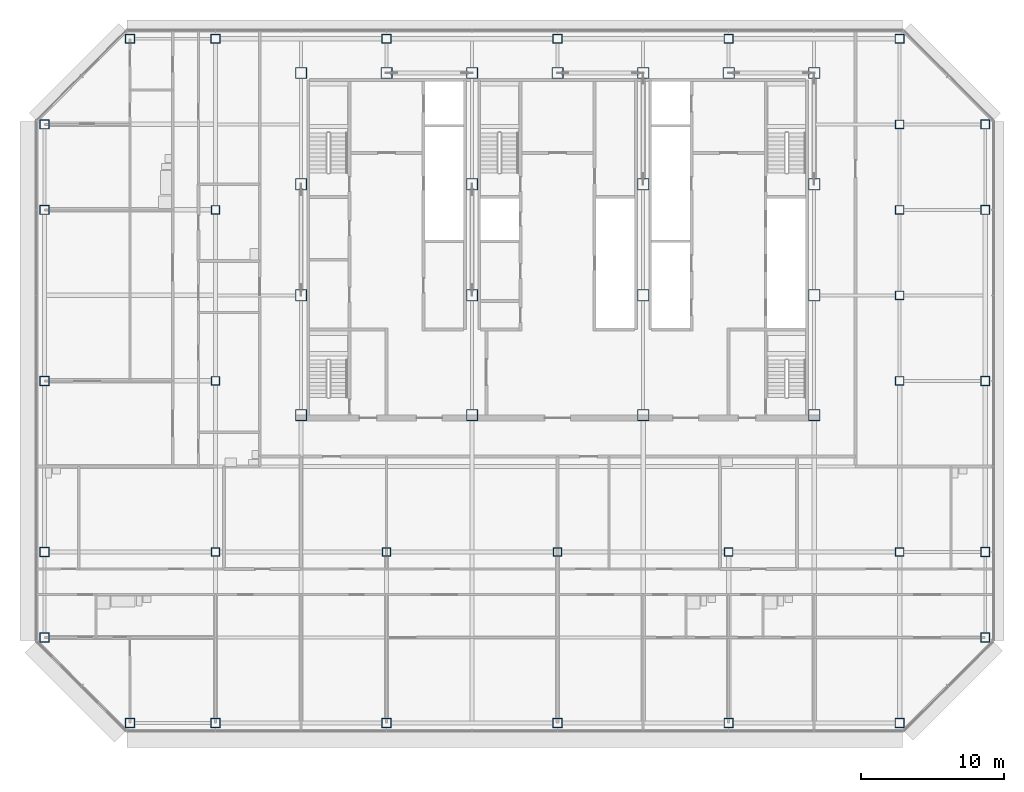
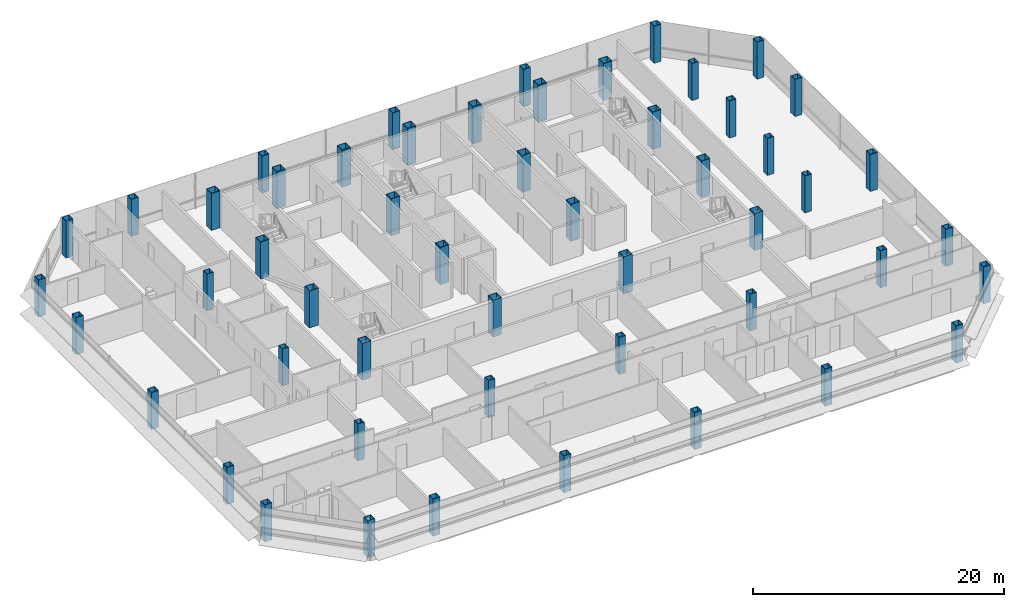
# One storey, part 1 of 26: 52 columns.
"""IFC4 building model written with IfcOpenShell, lengths in metres."""

from ifc_helpers import new_model, si_unit, direction, frame, origin, origin_2d, place, context, subcontext, project, spatial, hollow_rectangle, extrude, material, material_profile, profile_set, type_object, element, save


model = new_model("IFC4")

# Units and contexts
model_context = context("Model", 3, precision=1e-05, world=origin(), true_north=direction((0.0, 1.0)))
body_context = subcontext(model_context, "Body", "Model", "MODEL_VIEW")
ifc_project = project(units=[si_unit("LENGTHUNIT", "METRE"), si_unit("AREAUNIT", "SQUARE_METRE"), si_unit("VOLUMEUNIT", "CUBIC_METRE"), si_unit("PLANEANGLEUNIT", "RADIAN"), si_unit("MASSUNIT", "GRAM", prefix="KILO")], contexts=[model_context])

# Site, building, storey
site_placement = place(None, origin())
site = spatial("IfcSite", under=ifc_project, at=site_placement, CompositionType="ELEMENT")
building_placement = place(site_placement, origin())
building = spatial("IfcBuilding", under=site, at=building_placement, Name="Sorahane Residences", CompositionType="ELEMENT")
storey_placement = place(building_placement, frame((0.0, 0.0, 243.199951171875)))
storey = spatial("IfcBuildingStorey", under=building, at=storey_placement, Name="L57", CompositionType="ELEMENT", Elevation=243.199951171875)

# Columns
ifc_material_1 = material(Name="Steel Q355B", Category="steel")
ifc_material_profile_1 = material_profile(ifc_material_1, hollow_rectangle(XDim=0.60009765625, YDim=0.60009765625, WallThickness=0.028076171875, at=origin_2d()), Name="BOX 600x600x28")
ifc_profile_set_1 = profile_set([ifc_material_profile_1], Name="Steel Q355B")
column_type_1 = type_object("IfcColumnType", Name="Steel box column BOX 600x600x28 Q355B", PredefinedType="COLUMN", material=ifc_profile_set_1)
for number, where, z_axis, x_axis, name in (
    (1, (0.0, 12.0, 0.0), (0.0, 0.0, 1.0), (1.0, 0.0, 0.0), "Column L57 0/12"),
    (2, (0.0, 24.0, 0.0), (0.0, 0.0, 1.0), (1.0, 0.0, 0.0), "Column L57 0/24"),
    (3, (0.0, 36.0, 0.0), (0.0, 0.0, 1.0), (1.0, 0.0, 0.0), "Column L57 0/36"),
    (4, (12.0, 12.0, 0.0), (0.0, 0.0, 1.0), (1.0, 0.0, 0.0), "Column L57 12/12"),
    (5, (24.0, 12.0, 0.0), (0.0, 0.0, 1.0), (1.0, 0.0, 0.0), "Column L57 24/12"),
    (6, (36.0, 12.0, 0.0), (0.0, 0.0, 1.0), (1.0, 0.0, 0.0), "Column L57 36/12"),
    (7, (48.0, 12.0, 0.0), (0.0, 0.0, 1.0), (1.0, 0.0, 0.0), "Column L57 48/12"),
    (8, (48.0, 24.0, 0.0), (0.0, 0.0, 1.0), (1.0, 0.0, 0.0), "Column L57 48/24"),
    (9, (48.0, 30.0, 0.0), (0.0, 0.0, 1.0), (1.0, 0.0, 0.0), "Column L57 48/30"),
    (10, (48.0, 36.0, 0.0), (0.0, 0.0, 1.0), (1.0, 0.0, 0.0), "Column L57 48/36"),
    (11, (48.0, 42.0, 0.0), (0.0, 0.0, 1.0), (1.0, 0.0, 0.0), "Column L57 48/42"),
):
    element("IfcColumn", number, at=place(storey_placement, frame(where, z_axis=z_axis, x_axis=x_axis)), inside=storey, type_object=column_type_1, Name=name, PredefinedType="COLUMN", context=body_context, shape_type="SweptSolid", body=[
        extrude(hollow_rectangle(XDim=0.60009765625, YDim=0.60009765625, WallThickness=0.028076171875, at=origin_2d()), origin(), (0.0, 0.0, 1.0), 3.60009765625),
    ])
ifc_material_2 = material(Name="Steel Q355B", Category="steel")
ifc_material_profile_2 = material_profile(ifc_material_2, hollow_rectangle(XDim=0.64990234375, YDim=0.64990234375, WallThickness=0.031982421875, at=origin_2d()), Name="BOX 650x650x32")
ifc_profile_set_2 = profile_set([ifc_material_profile_2], Name="Steel Q355B")
column_type_2 = type_object("IfcColumnType", Name="Steel box column BOX 650x650x32 Q355B", PredefinedType="COLUMN", material=ifc_profile_set_2)
for number, where, z_axis, x_axis, name in (
    (12, (-12.0, 6.0, 0.0), (0.0, 0.0, 1.0), (1.0, 0.0, 0.0), "Column L57 m12/6"),
    (13, (-12.0, 12.0, 0.0), (0.0, 0.0, 1.0), (1.0, 0.0, 0.0), "Column L57 m12/12"),
    (14, (-12.0, 24.0, 0.0), (0.0, 0.0, 1.0), (1.0, 0.0, 0.0), "Column L57 m12/24"),
    (15, (-12.0, 36.0, 0.0), (0.0, 0.0, 1.0), (1.0, 0.0, 0.0), "Column L57 m12/36"),
    (16, (-12.0, 42.0, 0.0), (0.0, 0.0, 1.0), (1.0, 0.0, 0.0), "Column L57 m12/42"),
    (17, (-6.0, 0.0, 0.0), (0.0, 0.0, 1.0), (1.0, 0.0, 0.0), "Column L57 m6/0"),
    (18, (-6.0, 48.0, 0.0), (0.0, 0.0, 1.0), (1.0, 0.0, 0.0), "Column L57 m6/48"),
    (19, (0.0, 0.0, 0.0), (0.0, 0.0, 1.0), (1.0, 0.0, 0.0), "Column L57 0/0"),
    (20, (0.0, 48.0, 0.0), (0.0, 0.0, 1.0), (1.0, 0.0, 0.0), "Column L57 0/48"),
    (21, (12.0, 0.0, 0.0), (0.0, 0.0, 1.0), (1.0, 0.0, 0.0), "Column L57 12/0"),
    (22, (12.0, 48.0, 0.0), (0.0, 0.0, 1.0), (1.0, 0.0, 0.0), "Column L57 12/48"),
    (23, (24.0, 0.0, 0.0), (0.0, 0.0, 1.0), (1.0, 0.0, 0.0), "Column L57 24/0"),
    (24, (24.0, 48.0, 0.0), (0.0, 0.0, 1.0), (1.0, 0.0, 0.0), "Column L57 24/48"),
    (25, (36.0, 0.0, 0.0), (0.0, 0.0, 1.0), (1.0, 0.0, 0.0), "Column L57 36/0"),
    (26, (36.0, 48.0, 0.0), (0.0, 0.0, 1.0), (1.0, 0.0, 0.0), "Column L57 36/48"),
    (27, (48.0, 0.0, 0.0), (0.0, 0.0, 1.0), (1.0, 0.0, 0.0), "Column L57 48/0"),
    (28, (48.0, 48.0, 0.0), (0.0, 0.0, 1.0), (1.0, 0.0, 0.0), "Column L57 48/48"),
    (29, (54.0, 6.0, 0.0), (0.0, 0.0, 1.0), (1.0, 0.0, 0.0), "Column L57 54/6"),
    (30, (54.0, 12.0, 0.0), (0.0, 0.0, 1.0), (1.0, 0.0, 0.0), "Column L57 54/12"),
    (31, (54.0, 24.0, 0.0), (0.0, 0.0, 1.0), (1.0, 0.0, 0.0), "Column L57 54/24"),
    (32, (54.0, 36.0, 0.0), (0.0, 0.0, 1.0), (1.0, 0.0, 0.0), "Column L57 54/36"),
    (33, (54.0, 42.0, 0.0), (0.0, 0.0, 1.0), (1.0, 0.0, 0.0), "Column L57 54/42"),
):
    element("IfcColumn", number, at=place(storey_placement, frame(where, z_axis=z_axis, x_axis=x_axis)), inside=storey, type_object=column_type_2, Name=name, PredefinedType="COLUMN", context=body_context, shape_type="SweptSolid", body=[
        extrude(hollow_rectangle(XDim=0.64990234375, YDim=0.64990234375, WallThickness=0.031982421875, at=origin_2d()), origin(), (0.0, 0.0, 1.0), 3.60009765625),
    ])
ifc_material_3 = material(Name="Steel Q355B", Category="steel")
ifc_material_profile_3 = material_profile(ifc_material_3, hollow_rectangle(XDim=0.800048828125, YDim=0.800048828125, WallThickness=0.0400390625, at=origin_2d()), Name="BOX 800x800x40")
ifc_profile_set_3 = profile_set([ifc_material_profile_3], Name="Steel Q355B")
column_type_3 = type_object("IfcColumnType", Name="Steel box column BOX 800x800x40 Q355B", PredefinedType="COLUMN", material=ifc_profile_set_3)
for number, where, z_axis, x_axis, name in (
    (34, (6.0, 21.60009765625, 0.0), (0.0, 0.0, 1.0), (1.0, 0.0, 0.0), "Column L57 6/21.6"),
    (35, (6.0, 30.0, 0.0), (0.0, 0.0, 1.0), (1.0, 0.0, 0.0), "Column L57 6/30"),
    (36, (6.0, 37.800048828125, 0.0), (0.0, 0.0, 1.0), (1.0, 0.0, 0.0), "Column L57 6/37.8"),
    (37, (6.0, 45.60009765625, 0.0), (0.0, 0.0, 1.0), (1.0, 0.0, 0.0), "Column L57 6/45.6"),
    (38, (12.0, 45.60009765625, 0.0), (0.0, 0.0, 1.0), (1.0, 0.0, 0.0), "Column L57 12/45.6"),
    (39, (18.0, 21.60009765625, 0.0), (0.0, 0.0, 1.0), (1.0, 0.0, 0.0), "Column L57 18/21.6"),
    (40, (18.0, 30.0, 0.0), (0.0, 0.0, 1.0), (1.0, 0.0, 0.0), "Column L57 18/30"),
    (41, (18.0, 37.800048828125, 0.0), (0.0, 0.0, 1.0), (1.0, 0.0, 0.0), "Column L57 18/37.8"),
    (42, (18.0, 45.60009765625, 0.0), (0.0, 0.0, 1.0), (1.0, 0.0, 0.0), "Column L57 18/45.6"),
    (43, (24.0, 45.60009765625, 0.0), (0.0, 0.0, 1.0), (1.0, 0.0, 0.0), "Column L57 24/45.6"),
    (44, (30.0, 21.60009765625, 0.0), (0.0, 0.0, 1.0), (1.0, 0.0, 0.0), "Column L57 30/21.6"),
    (45, (30.0, 30.0, 0.0), (0.0, 0.0, 1.0), (1.0, 0.0, 0.0), "Column L57 30/30"),
    (46, (30.0, 37.800048828125, 0.0), (0.0, 0.0, 1.0), (1.0, 0.0, 0.0), "Column L57 30/37.8"),
    (47, (30.0, 45.60009765625, 0.0), (0.0, 0.0, 1.0), (1.0, 0.0, 0.0), "Column L57 30/45.6"),
    (48, (36.0, 45.60009765625, 0.0), (0.0, 0.0, 1.0), (1.0, 0.0, 0.0), "Column L57 36/45.6"),
    (49, (42.0, 21.60009765625, 0.0), (0.0, 0.0, 1.0), (1.0, 0.0, 0.0), "Column L57 42/21.6"),
    (50, (42.0, 30.0, 0.0), (0.0, 0.0, 1.0), (1.0, 0.0, 0.0), "Column L57 42/30"),
    (51, (42.0, 37.800048828125, 0.0), (0.0, 0.0, 1.0), (1.0, 0.0, 0.0), "Column L57 42/37.8"),
    (52, (42.0, 45.60009765625, 0.0), (0.0, 0.0, 1.0), (1.0, 0.0, 0.0), "Column L57 42/45.6"),
):
    element("IfcColumn", number, at=place(storey_placement, frame(where, z_axis=z_axis, x_axis=x_axis)), inside=storey, type_object=column_type_3, Name=name, PredefinedType="COLUMN", context=body_context, shape_type="SweptSolid", body=[
        extrude(hollow_rectangle(XDim=0.800048828125, YDim=0.800048828125, WallThickness=0.0400390625, at=origin_2d()), origin(), (0.0, 0.0, 1.0), 3.60009765625),
    ])

save(model, "model.ifc")
